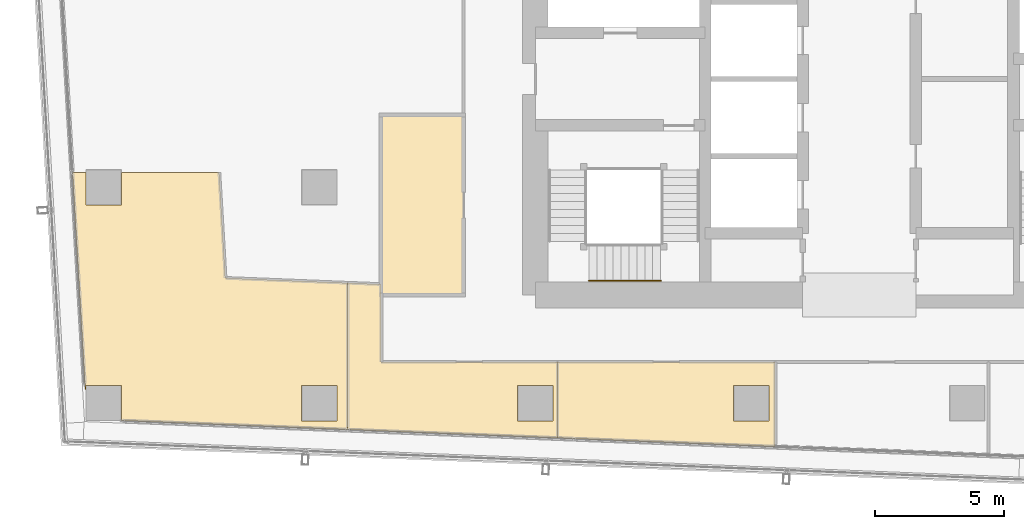
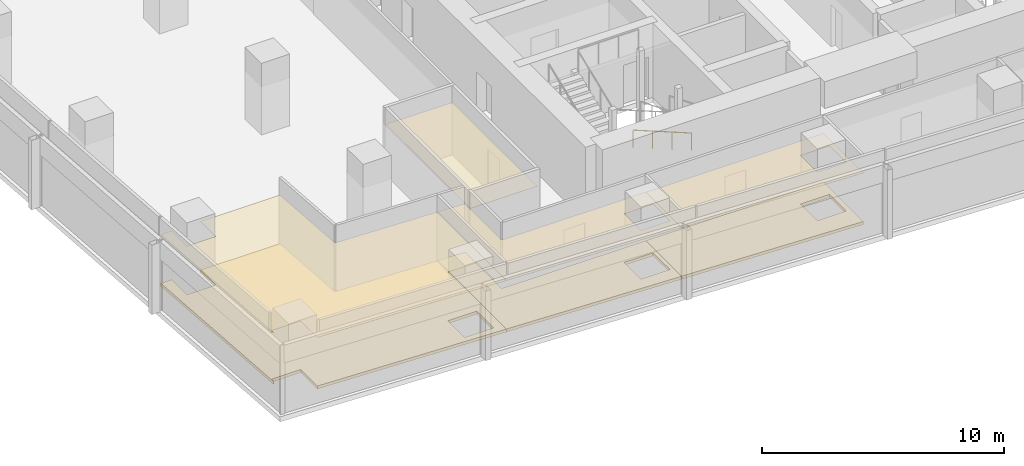
# One storey, part 31 of 40: 7 coverings, 1 railing.
"""IFC4 building model written with IfcOpenShell, lengths in metres."""

from ifc_helpers import new_model, si_unit, direction, frame, origin, origin_2d, place, context, subcontext, project, spatial, polyline, circle, outline, extrude, material, layer, layer_set, type_object, element, save


model = new_model("IFC4")

# Units and contexts
model_context = context("Model", 3, precision=1e-05, world=origin(), true_north=direction((0.0, 1.0)))
body_context = subcontext(model_context, "Body", "Model", "MODEL_VIEW")
ifc_project = project(units=[si_unit("LENGTHUNIT", "METRE"), si_unit("AREAUNIT", "SQUARE_METRE"), si_unit("VOLUMEUNIT", "CUBIC_METRE"), si_unit("PLANEANGLEUNIT", "RADIAN"), si_unit("MASSUNIT", "GRAM", prefix="KILO")], contexts=[model_context])

# Site, building, storey
site_placement = place(None, origin())
site = spatial("IfcSite", under=ifc_project, at=site_placement, CompositionType="ELEMENT")
building_placement = place(site_placement, origin())
building = spatial("IfcBuilding", under=site, at=building_placement, Name="Rekha Terrace Tower", CompositionType="ELEMENT")
storey_placement = place(building_placement, frame((0.0, 0.0, 210.199951171875)))
storey = spatial("IfcBuildingStorey", under=building, at=storey_placement, Name="L53", CompositionType="ELEMENT", Elevation=210.199951171875)

# Coverings
ifc_material_1 = material(Name="Mineral fibre tile in exposed grid", Category="finish")
ifc_layer_1 = layer(ifc_material_1, 0.02001953125)
ifc_layer_set_1 = layer_set([ifc_layer_1], Name="Mineral fibre tile in exposed grid")
covering_type_1 = type_object("IfcCoveringType", Name="CL1 600x1200 office grid ceiling", PredefinedType="CEILING", material=ifc_layer_set_1)
covering_1_placement = place(storey_placement, frame((0.0, 0.0, 2.580078125)))
element("IfcCovering", 1, at=covering_1_placement, inside=storey, type_object=covering_type_1, Name="Ceiling L53-12", PredefinedType="CEILING", context=body_context, shape_type="SweptSolid", body=[
    extrude(outline(polyline([(9.090087890625, 16.117919921875), (17.89892578125, 15.76611328125), (17.89892578125, 21.470947265625), (13.138916015625, 21.660888671875), (12.89697265625, 25.76611328125), (9.090087890625, 25.76611328125), (9.090087890625, 24.510009765625), (7.7099609375, 24.510009765625), (7.7099609375, 25.76611328125), (7.18701171875, 25.76611328125), (7.68408203125, 17.319091796875), (7.7099609375, 17.320068359375), (7.7099609375, 17.489990234375), (9.090087890625, 17.489990234375), (9.090087890625, 16.117919921875)]), holes=[polyline([(17.489990234375, 17.489990234375), (17.489990234375, 16.110107421875), (16.110107421875, 16.110107421875), (16.110107421875, 17.489990234375), (17.489990234375, 17.489990234375)])]), origin(), (0.0, 0.0, 1.0), 0.02001953125),
])
covering_2_placement = place(storey_placement, frame((0.0, 0.0, 2.580078125)))
element("IfcCovering", 2, at=covering_2_placement, inside=storey, type_object=covering_type_1, Name="Ceiling L53-13", PredefinedType="CEILING", context=body_context, shape_type="SweptSolid", body=[
    extrude(outline(polyline([(26.056884765625, 15.43994140625), (26.056884765625, 18.39990234375), (19.199951171875, 18.39990234375), (19.199951171875, 21.4189453125), (17.89990234375, 21.470947265625), (17.89990234375, 15.76611328125), (26.056884765625, 15.43994140625)]), holes=[polyline([(25.889892578125, 17.489990234375), (25.889892578125, 16.110107421875), (24.510009765625, 16.110107421875), (24.510009765625, 17.489990234375), (25.889892578125, 17.489990234375)])]), origin(), (0.0, 0.0, 1.0), 0.02001953125),
])
covering_3_placement = place(storey_placement, frame((0.0, 0.0, 2.580078125)))
element("IfcCovering", 3, at=covering_3_placement, inside=storey, type_object=covering_type_1, Name="Ceiling L53-14", PredefinedType="CEILING", context=body_context, shape_type="SweptSolid", body=[
    extrude(outline(polyline([(26.05810546875, 18.39990234375), (26.05810546875, 15.43994140625), (34.530029296875, 15.10205078125), (34.530029296875, 18.39990234375), (26.05810546875, 18.39990234375)]), holes=[polyline([(34.2900390625, 16.110107421875), (32.909912109375, 16.110107421875), (32.909912109375, 17.489990234375), (34.2900390625, 17.489990234375), (34.2900390625, 16.110107421875)])]), origin(), (0.0, 0.0, 1.0), 0.02001953125),
])
ifc_material_2 = material(Name="Fibre cement board", Category="finish")
ifc_layer_2 = layer(ifc_material_2, 0.014892578125)
ifc_layer_set_2 = layer_set([ifc_layer_2], Name="Fibre cement board")
covering_type_2 = type_object("IfcCoveringType", Name="CL2 moisture-resistant board ceiling", PredefinedType="CEILING", material=ifc_layer_set_2)
covering_4_placement = place(storey_placement, frame((0.0, 0.0, 2.5849609375)))
element("IfcCovering", 4, at=covering_4_placement, inside=storey, type_object=covering_type_2, Name="Ceiling L53-WCM", PredefinedType="CEILING", context=body_context, shape_type="SweptSolid", body=[
    extrude(outline(polyline([(22.39990234375, 28.0), (19.199951171875, 28.0), (19.199951171875, 21.0), (22.39990234375, 21.0), (22.39990234375, 28.0)])), origin(), (0.0, 0.0, 1.0), 0.01513671875),
])

# Railing
ifc_material_3 = material(Name="Stainless steel tube", Category="steel")
railing_type = type_object("IfcRailingType", Name="HR1 900 stair handrail", PredefinedType="HANDRAIL", material=ifc_material_3)
railing_placement = place(storey_placement, frame((30.074951171875, 21.56005859375, 1.375)))
element("IfcRailing", 5, at=railing_placement, inside=storey, type_object=railing_type, Name="Handrail ST1 L53 flight 2", PredefinedType="HANDRAIL", context=body_context, shape_type="SweptSolid", body=[
    extrude(circle(Radius=0.02392578125, at=origin_2d()), frame((0.0, 0.0, 0.8759765625), z_axis=(-0.927443287984, 0.0, 0.373963831907), x_axis=(0.0, -1.0, 0.0)), (0.0, 0.0, 1.0), 3.00830078125),
    extrude(circle(Radius=0.02099609375, at=origin_2d()), origin(), (0.0, 0.0, 1.0), 0.851806640625),
    extrude(circle(Radius=0.02099609375, at=origin_2d()), frame((-0.929931640625, 0.0, 0.375)), (0.0, 0.0, 1.0), 0.851806640625),
    extrude(circle(Radius=0.02099609375, at=origin_2d()), frame((-1.860107421875, 0.0, 0.75)), (0.0, 0.0, 1.0), 0.851806640625),
    extrude(circle(Radius=0.02099609375, at=origin_2d()), frame((-2.7900390625, 0.0, 1.125)), (0.0, 0.0, 1.0), 0.851806640625),
])

# Coverings
ifc_material_4 = material(Name="Calcium sulphate panels on steel pedestals", Category="steel")
ifc_layer_3 = layer(ifc_material_4, 0.14990234375)
ifc_layer_set_3 = layer_set([ifc_layer_3], Name="Calcium sulphate panels on steel pedestals")
covering_type_3 = type_object("IfcCoveringType", Name="RF1 150 raised access floor", PredefinedType="FLOORING", material=ifc_layer_set_3)
covering_5_placement = place(storey_placement, origin())
element("IfcCovering", 6, at=covering_5_placement, inside=storey, type_object=covering_type_3, Name="Raised floor L53-12", PredefinedType="FLOORING", context=body_context, shape_type="SweptSolid", body=[
    extrude(outline(polyline([(9.090087890625, 16.117919921875), (17.89892578125, 15.76611328125), (17.89892578125, 21.470947265625), (13.138916015625, 21.660888671875), (12.89697265625, 25.76611328125), (9.090087890625, 25.76611328125), (9.090087890625, 24.510009765625), (7.7099609375, 24.510009765625), (7.7099609375, 25.76611328125), (7.18701171875, 25.76611328125), (7.68408203125, 17.319091796875), (7.7099609375, 17.320068359375), (7.7099609375, 17.489990234375), (9.090087890625, 17.489990234375), (9.090087890625, 16.117919921875)]), holes=[polyline([(17.489990234375, 17.489990234375), (17.489990234375, 16.110107421875), (16.110107421875, 16.110107421875), (16.110107421875, 17.489990234375), (17.489990234375, 17.489990234375)])]), origin(), (0.0, 0.0, 1.0), 0.150146484375),
])
covering_6_placement = place(storey_placement, origin())
element("IfcCovering", 7, at=covering_6_placement, inside=storey, type_object=covering_type_3, Name="Raised floor L53-13", PredefinedType="FLOORING", context=body_context, shape_type="SweptSolid", body=[
    extrude(outline(polyline([(26.056884765625, 15.43994140625), (26.056884765625, 18.39990234375), (19.199951171875, 18.39990234375), (19.199951171875, 21.4189453125), (17.89990234375, 21.470947265625), (17.89990234375, 15.76611328125), (26.056884765625, 15.43994140625)]), holes=[polyline([(25.889892578125, 17.489990234375), (25.889892578125, 16.110107421875), (24.510009765625, 16.110107421875), (24.510009765625, 17.489990234375), (25.889892578125, 17.489990234375)])]), origin(), (0.0, 0.0, 1.0), 0.150146484375),
])
covering_7_placement = place(storey_placement, origin())
element("IfcCovering", 8, at=covering_7_placement, inside=storey, type_object=covering_type_3, Name="Raised floor L53-14", PredefinedType="FLOORING", context=body_context, shape_type="SweptSolid", body=[
    extrude(outline(polyline([(26.05810546875, 18.39990234375), (26.05810546875, 15.43994140625), (34.530029296875, 15.10205078125), (34.530029296875, 18.39990234375), (26.05810546875, 18.39990234375)]), holes=[polyline([(34.2900390625, 16.110107421875), (32.909912109375, 16.110107421875), (32.909912109375, 17.489990234375), (34.2900390625, 17.489990234375), (34.2900390625, 16.110107421875)])]), origin(), (0.0, 0.0, 1.0), 0.150146484375),
])

save(model, "model.ifc")
